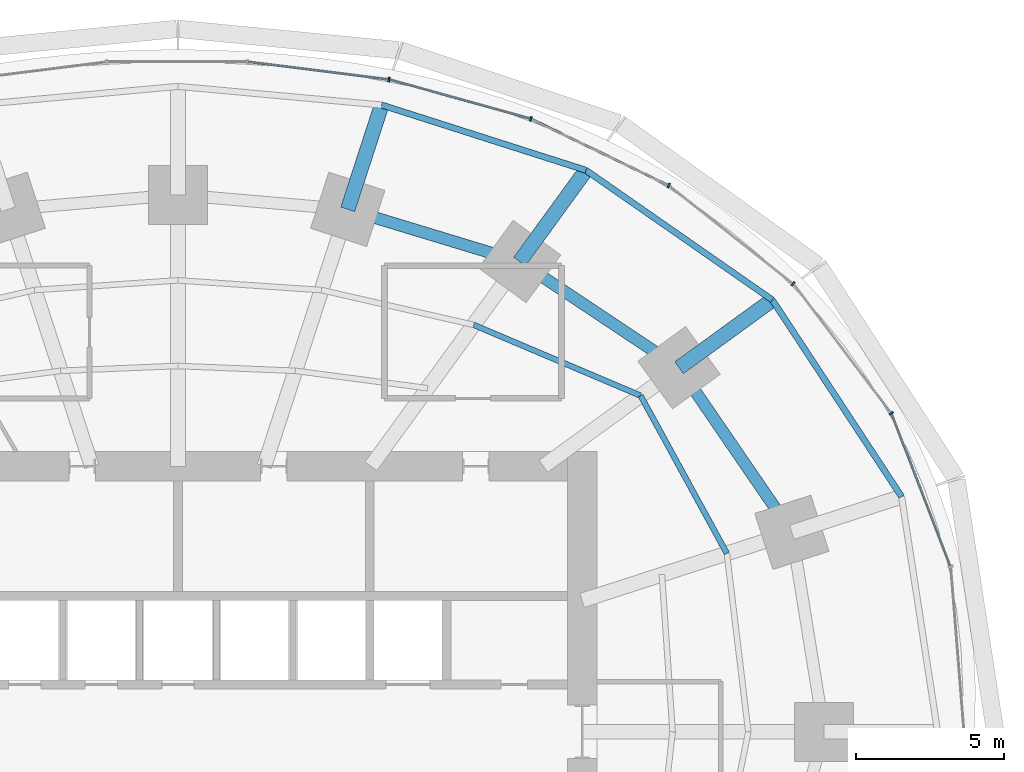
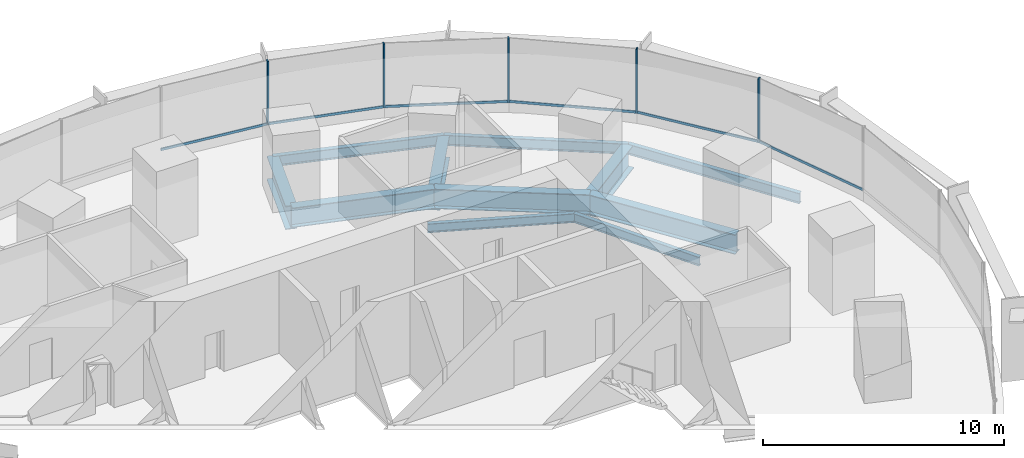
# One storey, part 9 of 15: 11 beams, 11 members, 2 elements without a shape of their own.
"""IFC4 building model written with IfcOpenShell, lengths in metres."""

from ifc_helpers import new_model, si_unit, direction, frame, origin, origin_2d, place, context, subcontext, project, spatial, rectangle, i_section, extrude, material, material_profile, profile_set, type_object, element, aggregate, save


model = new_model("IFC4")

# Units and contexts
model_context = context("Model", 3, precision=1e-05, world=origin(), true_north=direction((0.0, 1.0)))
body_context = subcontext(model_context, "Body", "Model", "MODEL_VIEW")
ifc_project = project(units=[si_unit("LENGTHUNIT", "METRE"), si_unit("AREAUNIT", "SQUARE_METRE"), si_unit("VOLUMEUNIT", "CUBIC_METRE"), si_unit("PLANEANGLEUNIT", "RADIAN"), si_unit("MASSUNIT", "GRAM", prefix="KILO")], contexts=[model_context])

# Site, building, storey
site_placement = place(None, origin())
site = spatial("IfcSite", under=ifc_project, at=site_placement, CompositionType="ELEMENT")
building_placement = place(site_placement, origin())
building = spatial("IfcBuilding", under=site, at=building_placement, Name="Marramba Exchange Tower", CompositionType="ELEMENT")
storey_placement = place(building_placement, frame((0.0, 0.0, 28.0)))
storey = spatial("IfcBuildingStorey", under=building, at=storey_placement, Name="L06", CompositionType="ELEMENT", Elevation=28.0)

# Beams
ifc_material_1 = material(Name="Steel AS/NZS 3679.2 grade 300", Category="steel")
ifc_material_profile_1 = material_profile(ifc_material_1, i_section(OverallWidth=0.5, OverallDepth=1.199951171875, WebThickness=0.01611328125, FlangeThickness=0.0400390625, at=origin_2d()), Name="1200WB455")
ifc_profile_set_1 = profile_set([ifc_material_profile_1], Name="Steel AS/NZS 3679.2 grade 300")
beam_type_1 = type_object("IfcBeamType", Name="Cantilever girder 1200WB455", PredefinedType="BEAM", material=ifc_profile_set_1)
beam_1_placement = place(storey_placement, frame((16.98583984375, 12.3408203125, -0.760009765625), z_axis=(0.808987260856, 0.587826174793, 0.0), x_axis=(-0.587826174793, 0.808987260856, 0.0)))
element("IfcBeam", 1, at=beam_1_placement, inside=storey, type_object=beam_type_1, Name="Cantilever girder L06 TC03", PredefinedType="BEAM", context=body_context, shape_type="SweptSolid", body=[
    extrude(i_section(OverallWidth=0.5, OverallDepth=1.199951171875, WebThickness=0.01611328125, FlangeThickness=0.0400390625, at=origin_2d()), origin(), (0.0, 0.0, 1.0), 3.90771484375),
])
beam_2_placement = place(storey_placement, frame((11.581298828125, 15.9404296875, -0.760009765625), z_axis=(0.587795827483, 0.809009310944, 0.0), x_axis=(-0.809009310944, 0.587795827483, 0.0)))
element("IfcBeam", 2, at=beam_2_placement, inside=storey, type_object=beam_type_1, Name="Cantilever girder L06 TC04", PredefinedType="BEAM", context=body_context, shape_type="SweptSolid", body=[
    extrude(i_section(OverallWidth=0.5, OverallDepth=1.199951171875, WebThickness=0.01611328125, FlangeThickness=0.0400390625, at=origin_2d()), origin(), (0.0, 0.0, 1.0), 3.82421875),
])
beam_3_placement = place(storey_placement, frame((5.75390625, 17.70849609375, -0.760009765625), z_axis=(0.308973290646, 0.951070715387, 0.0), x_axis=(-0.951070715387, 0.308973290646, 0.0)))
element("IfcBeam", 3, at=beam_3_placement, inside=storey, type_object=beam_type_1, Name="Cantilever girder L06 TC05", PredefinedType="BEAM", context=body_context, shape_type="SweptSolid", body=[
    extrude(i_section(OverallWidth=0.5, OverallDepth=1.199951171875, WebThickness=0.01611328125, FlangeThickness=0.0400390625, at=origin_2d()), origin(), (0.0, 0.0, 1.0), 3.72021484375),
])
ifc_material_2 = material(Name="Steel AS/NZS 3679.1 grade 300", Category="steel")
ifc_material_profile_2 = material_profile(ifc_material_2, i_section(OverallWidth=0.18994140625, OverallDepth=0.4541015625, WebThickness=0.008544921875, FlangeThickness=0.0126953125, FilletRadius=0.011474609375, at=origin_2d()), Name="460UB67.1")
ifc_profile_set_2 = profile_set([ifc_material_profile_2], Name="Steel AS/NZS 3679.1 grade 300")
beam_type_2 = type_object("IfcBeamType", Name="Floor joist 460UB67.1", PredefinedType="JOIST", material=ifc_profile_set_2)
beam_4_placement = place(storey_placement, frame((18.60546875, 6.04541015625, -0.386962890625), z_axis=(-0.479584443791, 0.877495732909, 0.0), x_axis=(-0.877495732909, -0.479584443791, 0.0)))
element("IfcBeam", 4, at=beam_4_placement, inside=storey, type_object=beam_type_2, Name="Joist L06 bay 02 row 2", PredefinedType="JOIST", context=body_context, shape_type="SweptSolid", body=[
    extrude(i_section(OverallWidth=0.18994140625, OverallDepth=0.4541015625, WebThickness=0.008544921875, FlangeThickness=0.0126953125, FilletRadius=0.011474609375, at=origin_2d()), origin(), (0.0, 0.0, 1.0), 6.094970703125),
])
beam_5_placement = place(storey_placement, frame((15.682373046875, 11.393798828125, -0.386962890625), z_axis=(-0.920674336375, 0.390331610738, 0.0), x_axis=(-0.390331610738, -0.920674336375, 0.0)))
element("IfcBeam", 5, at=beam_5_placement, inside=storey, type_object=beam_type_2, Name="Joist L06 bay 03 row 2", PredefinedType="JOIST", context=body_context, shape_type="SweptSolid", body=[
    extrude(i_section(OverallWidth=0.18994140625, OverallDepth=0.4541015625, WebThickness=0.008544921875, FlangeThickness=0.0126953125, FilletRadius=0.011474609375, at=origin_2d()), origin(), (0.0, 0.0, 1.0), 6.1484375),
])
ifc_material_profile_3 = material_profile(ifc_material_1, i_section(OverallWidth=0.39990234375, OverallDepth=1.0, WebThickness=0.01611328125, FlangeThickness=0.031982421875, at=origin_2d()), Name="1000WB322")
ifc_profile_set_3 = profile_set([ifc_material_profile_3], Name="Steel AS/NZS 3679.2 grade 300")
beam_type_3 = type_object("IfcBeamType", Name="Ring beam 1000WB322", PredefinedType="SPANDREL", material=ifc_profile_set_3)
beam_6_placement = place(storey_placement, frame((20.808349609375, 6.760986328125, -0.659912109375), z_axis=(-0.56516002054, 0.824981303535, 0.0), x_axis=(-0.824981303535, -0.56516002054, 0.0)))
element("IfcBeam", 6, at=beam_6_placement, inside=storey, type_object=beam_type_3, Name="Ring beam L06 TC02-TC03", PredefinedType="SPANDREL", context=body_context, shape_type="SweptSolid", body=[
    extrude(i_section(OverallWidth=0.39990234375, OverallDepth=1.0, WebThickness=0.01611328125, FlangeThickness=0.031982421875, at=origin_2d()), origin(), (0.0, 0.0, 1.0), 6.763671875),
])
beam_7_placement = place(storey_placement, frame((16.98583984375, 12.3408203125, -0.659912109375), z_axis=(-0.832293151443, 0.554335737673, 0.0), x_axis=(-0.554335737673, -0.832293151443, 0.0)))
element("IfcBeam", 7, at=beam_7_placement, inside=storey, type_object=beam_type_3, Name="Ring beam L06 TC03-TC04", PredefinedType="SPANDREL", context=body_context, shape_type="SweptSolid", body=[
    extrude(i_section(OverallWidth=0.39990234375, OverallDepth=1.0, WebThickness=0.01611328125, FlangeThickness=0.031982421875, at=origin_2d()), origin(), (0.0, 0.0, 1.0), 6.49365234375),
])
beam_8_placement = place(storey_placement, frame((11.581298828125, 15.9404296875, -0.659912109375), z_axis=(-0.956924542524, 0.290336735387, 0.0), x_axis=(-0.290336735387, -0.956924542524, 0.0)))
element("IfcBeam", 8, at=beam_8_placement, inside=storey, type_object=beam_type_3, Name="Ring beam L06 TC04-TC05", PredefinedType="SPANDREL", context=body_context, shape_type="SweptSolid", body=[
    extrude(i_section(OverallWidth=0.39990234375, OverallDepth=1.0, WebThickness=0.01611328125, FlangeThickness=0.031982421875, at=origin_2d()), origin(), (0.0, 0.0, 1.0), 6.089599609375),
])
ifc_material_profile_4 = material_profile(ifc_material_2, i_section(OverallWidth=0.208984375, OverallDepth=0.528076171875, WebThickness=0.009521484375, FlangeThickness=0.01318359375, FilletRadius=0.013916015625, at=origin_2d()), Name="530UB82.0")
ifc_profile_set_4 = profile_set([ifc_material_profile_4], Name="Steel AS/NZS 3679.1 grade 300")
beam_type_4 = type_object("IfcBeamType", Name="Slab edge beam 530UB82.0", PredefinedType="SPANDREL", material=ifc_profile_set_4)
beam_9_placement = place(storey_placement, frame((24.528564453125, 7.9697265625, -0.424072265625), z_axis=(-0.549123544095, 0.835741188001, 0.0), x_axis=(-0.835741188001, -0.549123544095, 0.0)))
element("IfcBeam", 9, at=beam_9_placement, inside=storey, type_object=beam_type_4, Name="Slab edge beam L06 TC02-TC03", PredefinedType="SPANDREL", context=body_context, shape_type="SweptSolid", body=[
    extrude(i_section(OverallWidth=0.208984375, OverallDepth=0.528076171875, WebThickness=0.009521484375, FlangeThickness=0.01318359375, FilletRadius=0.013916015625, at=origin_2d()), origin(), (0.0, 0.0, 1.0), 7.978759765625),
])
beam_10_placement = place(storey_placement, frame((20.147216796875, 14.637939453125, -0.424072265625), z_axis=(-0.820842487183, 0.571154629882, 0.0), x_axis=(-0.571154629882, -0.820842487183, 0.0)))
element("IfcBeam", 10, at=beam_10_placement, inside=storey, type_object=beam_type_4, Name="Slab edge beam L06 TC03-TC04", PredefinedType="SPANDREL", context=body_context, shape_type="SweptSolid", body=[
    extrude(i_section(OverallWidth=0.208984375, OverallDepth=0.528076171875, WebThickness=0.009521484375, FlangeThickness=0.01318359375, FilletRadius=0.013916015625, at=origin_2d()), origin(), (0.0, 0.0, 1.0), 7.697021484375),
])
beam_11_placement = place(storey_placement, frame((13.8291015625, 19.0341796875, -0.424072265625), z_axis=(-0.952577642997, 0.304295635957, 0.0), x_axis=(-0.304295635957, -0.952577642997, 0.0)))
element("IfcBeam", 11, at=beam_11_placement, inside=storey, type_object=beam_type_4, Name="Slab edge beam L06 TC04-TC05", PredefinedType="SPANDREL", context=body_context, shape_type="SweptSolid", body=[
    extrude(i_section(OverallWidth=0.208984375, OverallDepth=0.528076171875, WebThickness=0.009521484375, FlangeThickness=0.01318359375, FilletRadius=0.013916015625, at=origin_2d()), origin(), (0.0, 0.0, 1.0), 7.2705078125),
])

# Curtain wall, members
ifc_material_3 = material(Name="Aluminium framing, bronze anodised", Category="aluminium")
curtain_wall_type = type_object("IfcCurtainWallType", Name="Trading floor ribbon curtain wall", PredefinedType="USERDEFINED", material=ifc_material_3)
curtain_wall_1_placement = place(storey_placement, origin())
curtain_wall_1 = element("IfcCurtainWall", 12, at=curtain_wall_1_placement, inside=storey, type_object=curtain_wall_type, Name="Curtain wall CW3 L06 F01-F05", ObjectType="RIBBON CURTAIN WALL", PredefinedType="USERDEFINED")
ifc_material_4 = material(Name="Aluminium mullion, bronze anodised", Category="aluminium")
ifc_material_profile_5 = material_profile(ifc_material_4, rectangle(XDim=0.159912109375, YDim=0.06005859375, at=origin_2d()), Name="CW3 mullion 60x160")
ifc_profile_set_5 = profile_set([ifc_material_profile_5], Name="Aluminium mullion, bronze anodised")
member_type_1 = type_object("IfcMemberType", Name="Trading floor ribbon curtain wall mullion", PredefinedType="MULLION", material=ifc_profile_set_5)
member_1_placement = place(storey_placement, frame((24.178466796875, 10.796875, 0.800048828125), z_axis=(0.0, 0.0, 1.0), x_axis=(-0.797748922445, -0.602989765036, 0.0)))
member_1 = element("IfcMember", 13, at=member_1_placement, type_object=member_type_1, Name="CW3 mullion 1", PredefinedType="MULLION", context=body_context, shape_type="SweptSolid", body=[
    extrude(rectangle(XDim=0.159912109375, YDim=0.06005859375, at=origin_2d()), origin(), (0.0, 0.0, 1.0), 3.239990234375),
])
member_2_placement = place(storey_placement, frame((20.851806640625, 15.185546875, 0.800048828125), z_axis=(0.0, 0.0, 1.0), x_axis=(-0.620649730166, -0.784087949432, 0.0)))
member_2 = element("IfcMember", 14, at=member_2_placement, type_object=member_type_1, Name="CW3 mullion 1", PredefinedType="MULLION", context=body_context, shape_type="SweptSolid", body=[
    extrude(rectangle(XDim=0.159912109375, YDim=0.06005859375, at=origin_2d()), origin(), (0.0, 0.0, 1.0), 3.239990234375),
])
member_3_placement = place(storey_placement, frame((16.63330078125, 18.516357421875, 0.800048828125), z_axis=(0.0, 0.0, 1.0), x_axis=(-0.43596538664, -0.899963433508, 0.0)))
member_3 = element("IfcMember", 15, at=member_3_placement, type_object=member_type_1, Name="CW3 mullion 1", PredefinedType="MULLION", context=body_context, shape_type="SweptSolid", body=[
    extrude(rectangle(XDim=0.159912109375, YDim=0.06005859375, at=origin_2d()), origin(), (0.0, 0.0, 1.0), 3.239990234375),
])

curtain_wall_2_placement = place(storey_placement, origin())
curtain_wall_2 = element("IfcCurtainWall", 16, at=curtain_wall_2_placement, inside=storey, type_object=curtain_wall_type, Name="Curtain wall CW3 L06 F06-F10", ObjectType="RIBBON CURTAIN WALL", PredefinedType="USERDEFINED")
member_4_placement = place(storey_placement, frame((11.96044921875, 20.774169921875, 0.800048828125), z_axis=(0.0, 0.0, 1.0), x_axis=(-0.267808735815, -0.963472096649, 0.0)))
member_4 = element("IfcMember", 17, at=member_4_placement, type_object=member_type_1, Name="CW3 mullion 1", PredefinedType="MULLION", context=body_context, shape_type="SweptSolid", body=[
    extrude(rectangle(XDim=0.159912109375, YDim=0.06005859375, at=origin_2d()), origin(), (0.0, 0.0, 1.0), 3.239990234375),
])
member_5_placement = place(storey_placement, frame((7.15185546875, 22.106201171875, 0.800048828125), z_axis=(0.0, 0.0, 1.0), x_axis=(-0.124872723099, -0.992172768738, 0.0)))
member_5 = element("IfcMember", 18, at=member_5_placement, type_object=member_type_1, Name="CW3 mullion 1", PredefinedType="MULLION", context=body_context, shape_type="SweptSolid", body=[
    extrude(rectangle(XDim=0.159912109375, YDim=0.06005859375, at=origin_2d()), origin(), (0.0, 0.0, 1.0), 3.239990234375),
])

# Member
ifc_material_5 = material(Name="Aluminium transom, bronze anodised", Category="aluminium")
ifc_material_profile_6 = material_profile(ifc_material_5, rectangle(XDim=0.06005859375, YDim=0.1201171875, at=origin_2d()), Name="CW3 transom 60x120")
ifc_profile_set_6 = profile_set([ifc_material_profile_6], Name="Aluminium transom, bronze anodised")
member_type_2 = type_object("IfcMemberType", Name="Trading floor ribbon curtain wall transom", PredefinedType="USERDEFINED", material=ifc_profile_set_6)
member_6_placement = place(storey_placement, frame((26.179931640625, 5.625244140625, 0.830078125), z_axis=(-0.359533581349, 0.933132147063, 0.0), x_axis=(-0.933132147063, -0.359533581349, 0.0)))
member_6 = element("IfcMember", 19, at=member_6_placement, type_object=member_type_2, Name="CW3 sill transom", ObjectType="TRANSOM", PredefinedType="USERDEFINED", context=body_context, shape_type="SweptSolid", body=[
    extrude(rectangle(XDim=0.06005859375, YDim=0.1201171875, at=origin_2d()), origin(), (0.0, 0.0, 1.0), 5.5166015625),
])

member_7_placement = place(storey_placement, frame((24.160400390625, 10.82080078125, 0.830078125), z_axis=(-0.602985866158, 0.797751869452, 0.0), x_axis=(-0.797751869452, -0.602985866158, 0.0)))
member_7 = element("IfcMember", 20, at=member_7_placement, type_object=member_type_2, Name="CW3 sill transom", ObjectType="TRANSOM", PredefinedType="USERDEFINED", context=body_context, shape_type="SweptSolid", body=[
    extrude(rectangle(XDim=0.06005859375, YDim=0.1201171875, at=origin_2d()), origin(), (0.0, 0.0, 1.0), 5.44775390625),
])

member_8_placement = place(storey_placement, frame((20.828369140625, 15.2041015625, 0.830078125), z_axis=(-0.784097975735, 0.620637063385, 0.0), x_axis=(-0.620637063385, -0.784097975735, 0.0)))
member_8 = element("IfcMember", 21, at=member_8_placement, type_object=member_type_2, Name="CW3 sill transom", ObjectType="TRANSOM", PredefinedType="USERDEFINED", context=body_context, shape_type="SweptSolid", body=[
    extrude(rectangle(XDim=0.06005859375, YDim=0.1201171875, at=origin_2d()), origin(), (0.0, 0.0, 1.0), 5.315673828125),
])

member_9_placement = place(storey_placement, frame((16.6064453125, 18.529296875, 0.830078125), z_axis=(-0.89995331781, 0.43598626786, 0.0), x_axis=(-0.43598626786, -0.89995331781, 0.0)))
member_9 = element("IfcMember", 22, at=member_9_placement, type_object=member_type_2, Name="CW3 sill transom", ObjectType="TRANSOM", PredefinedType="USERDEFINED", context=body_context, shape_type="SweptSolid", body=[
    extrude(rectangle(XDim=0.06005859375, YDim=0.1201171875, at=origin_2d()), origin(), (0.0, 0.0, 1.0), 5.13037109375),
])

aggregate(curtain_wall_1, [member_6, member_1, member_7, member_2, member_8, member_3, member_9])

member_10_placement = place(storey_placement, frame((11.931396484375, 20.7822265625, 0.830078125), z_axis=(-0.963468938163, 0.267820098565, 0.0), x_axis=(-0.267820098565, -0.963468938163, 0.0)))
member_10 = element("IfcMember", 23, at=member_10_placement, type_object=member_type_2, Name="CW3 sill transom", ObjectType="TRANSOM", PredefinedType="USERDEFINED", context=body_context, shape_type="SweptSolid", body=[
    extrude(rectangle(XDim=0.06005859375, YDim=0.1201171875, at=origin_2d()), origin(), (0.0, 0.0, 1.0), 4.929931640625),
])

member_11_placement = place(storey_placement, frame((7.1220703125, 22.10986328125, 0.830078125), z_axis=(-0.99216810728, 0.124909755012, 0.0), x_axis=(-0.124909755012, -0.99216810728, 0.0)))
member_11 = element("IfcMember", 24, at=member_11_placement, type_object=member_type_2, Name="CW3 sill transom", ObjectType="TRANSOM", PredefinedType="USERDEFINED", context=body_context, shape_type="SweptSolid", body=[
    extrude(rectangle(XDim=0.06005859375, YDim=0.1201171875, at=origin_2d()), origin(), (0.0, 0.0, 1.0), 4.77294921875),
])

aggregate(curtain_wall_2, [member_4, member_10, member_5, member_11])

save(model, "model.ifc")
